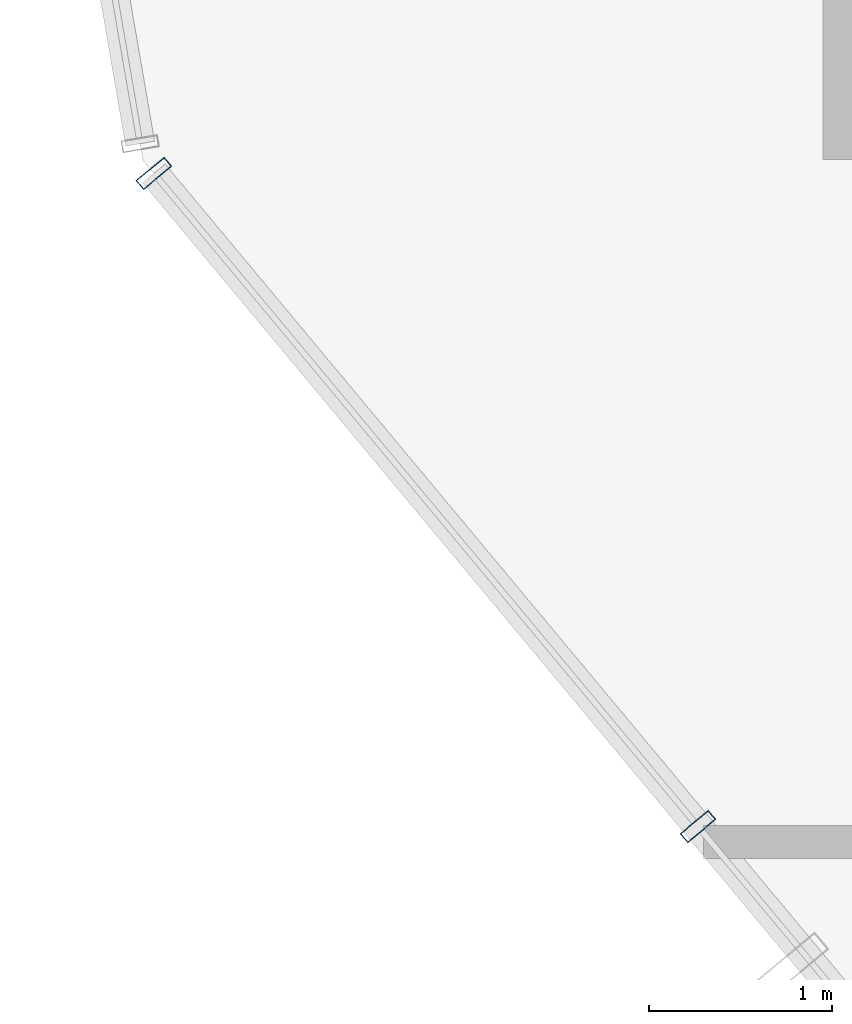
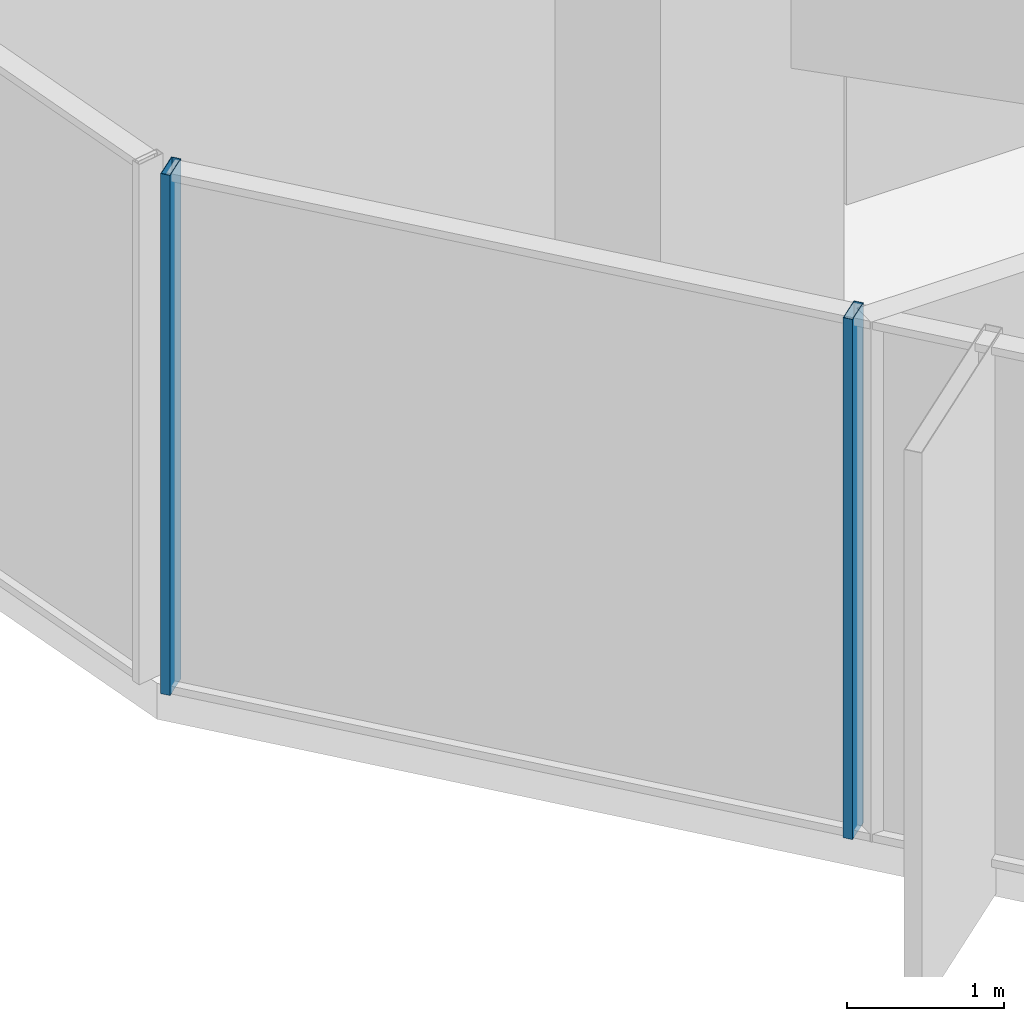
# One storey, part 4 of 35: 2 members, 1 element without a shape of its own.
"""IFC4 building model written with IfcOpenShell, lengths in metres."""

import ifcopenshell
import ifcopenshell.guid

model = None  # the IFC model being written
_history = None  # IfcOwnerHistory: only IFC2X3 demands one
_inside = {}  # id of a spatial element -> (the spatial element, [elements in it])
_under = {}  # id of a project, library or spatial element -> (it, [spatial elements below it])
_declared = {}  # id of a project -> (the project, [libraries it declares])
_typed = {}  # id of a type object -> (the type object, [elements of that type])
_made_of = {}  # id of a material, layer set ... -> (it, [elements and type objects made of it])


def new_model(schema):
    """Start an empty IFC model of exactly this schema.

    Asked for "IFC4X3", IfcOpenShell would pick the latest addendum, in which some entities
    have other attributes; the version numbers below select the first issue.
    IFC2X3 requires an IfcOwnerHistory on every rooted entity: one is made here for all.
    """
    global model, _history
    if schema == "IFC4X3":
        model = ifcopenshell.file(schema_version=(4, 3, 0, 0))
    else:
        model = ifcopenshell.file(schema=schema)
    _inside.clear()
    _under.clear()
    _declared.clear()
    _typed.clear()
    _made_of.clear()
    _history = None
    if model.schema == "IFC2X3":
        org = make("IfcOrganization", Name="unknown")
        user = make(
            "IfcPersonAndOrganization",
            ThePerson=make("IfcPerson", FamilyName="unknown"),
            TheOrganization=org,
        )
        app = make(
            "IfcApplication",
            ApplicationDeveloper=org,
            Version="unknown",
            ApplicationFullName="unknown",
            ApplicationIdentifier="unknown",
        )
        _history = make(
            "IfcOwnerHistory",
            OwningUser=user,
            OwningApplication=app,
            ChangeAction="ADDED",
            CreationDate=0,
        )
    return model


def make(cls, **values):
    """One entity of the class cls with the attributes given. An attribute that is None is left unset."""
    return model.create_entity(
        cls, **{name: value for name, value in values.items() if value is not None}
    )


def rooted(cls, **values):
    """An entity with a GlobalId (a new one), such as an element, a storey or a relation."""
    return make(cls, GlobalId=ifcopenshell.guid.new(), OwnerHistory=_history, **values)


def si_unit(unit_type, name, prefix=None):
    """IfcSIUnit, for example si_unit("LENGTHUNIT", "METRE", prefix="MILLI")."""
    return make("IfcSIUnit", UnitType=unit_type, Prefix=prefix, Name=name)


def assignment(units):
    """IfcUnitAssignment: the units of a project."""
    return None if units is None else make("IfcUnitAssignment", Units=units)


def point(xyz):
    """IfcCartesianPoint."""
    return None if xyz is None else make("IfcCartesianPoint", Coordinates=xyz)


def direction(xyz):
    """IfcDirection."""
    return None if xyz is None else make("IfcDirection", DirectionRatios=xyz)


def frame(location, z_axis=None, x_axis=None):
    """IfcAxis2Placement3D, a coordinate frame: its origin and axes. An axis left out is left unset."""
    return make(
        "IfcAxis2Placement3D",
        Location=point(location),
        Axis=direction(z_axis),
        RefDirection=direction(x_axis),
    )


def frame_2d(location, x_axis=None):
    """IfcAxis2Placement2D, a coordinate frame in the plane: its origin and x axis."""
    return make(
        "IfcAxis2Placement2D", Location=point(location), RefDirection=direction(x_axis)
    )


def origin():
    """The frame at (0, 0, 0) with its axes left unset."""
    return frame((0.0, 0.0, 0.0))


def origin_2d():
    """The frame at (0, 0) in the plane with its x axis left unset."""
    return frame_2d((0.0, 0.0))


def place(relative_to, where):
    """IfcLocalPlacement: puts the frame where relative to a parent placement (None: the world)."""
    return make(
        "IfcLocalPlacement", PlacementRelTo=relative_to, RelativePlacement=where
    )


def context(
    kind, dimensions, precision=None, world=None, true_north=None, identifier=None
):
    """IfcGeometricRepresentationContext, for example the 3D "Model" context."""
    return make(
        "IfcGeometricRepresentationContext",
        ContextIdentifier=identifier,
        ContextType=kind,
        CoordinateSpaceDimension=dimensions,
        Precision=precision,
        WorldCoordinateSystem=world,
        TrueNorth=true_north,
    )


def subcontext(parent, identifier, kind, view, scale=None):
    """IfcGeometricRepresentationSubContext, for example "Body" below "Model"."""
    return make(
        "IfcGeometricRepresentationSubContext",
        ContextIdentifier=identifier,
        ContextType=kind,
        ParentContext=parent,
        TargetScale=scale,
        TargetView=view,
    )


def project(units=None, contexts=None):
    """IfcProject with its units and contexts."""
    return rooted(
        "IfcProject",
        Name="project",
        RepresentationContexts=contexts,
        UnitsInContext=assignment(units),
    )


def spatial(cls, under=None, at=None, **own):
    """A site, building, storey or space (cls), placed at a placement, below another one or the project."""
    s = rooted(cls, ObjectPlacement=at, **own)
    if under is not None:
        _under.setdefault(under.id(), (under, []))[1].append(s)
    return s


def profile(cls, at=None, kind="AREA", **sizes):
    """A parametric profile (cls). Its sizes go by their IFC names, for example OverallWidth=200.0."""
    return make(cls, ProfileType=kind, Position=at, **sizes)


def hollow_rectangle(**sizes):
    """IfcRectangleHollowProfileDef."""
    return profile("IfcRectangleHollowProfileDef", **sizes)


def extrude(swept, where, along, depth):
    """IfcExtrudedAreaSolid: the profile swept, set in the frame where, extruded along a direction by depth."""
    return make(
        "IfcExtrudedAreaSolid",
        SweptArea=swept,
        Position=where,
        ExtrudedDirection=direction(along),
        Depth=depth,
    )


def shape(context_of_items, identifier, shape_type, items):
    """IfcShapeRepresentation: the items that make up one representation, for example the "Body"."""
    return make(
        "IfcShapeRepresentation",
        ContextOfItems=context_of_items,
        RepresentationIdentifier=identifier,
        RepresentationType=shape_type,
        Items=items,
    )


def source(mapping_origin, context_of_items, identifier, shape_type, items):
    """IfcRepresentationMap: a shape defined once, which mapped items show again and again."""
    return make(
        "IfcRepresentationMap",
        MappingOrigin=mapping_origin,
        MappedRepresentation=shape(context_of_items, identifier, shape_type, items),
    )


def transform(
    local_origin,
    x_axis=None,
    y_axis=None,
    z_axis=None,
    scale=None,
    scale2=None,
    scale3=None,
    uniform=True,
):
    """IfcCartesianTransformationOperator3D, or its non-uniform kind. x_axis, y_axis, z_axis: its Axis1, 2, 3."""
    if uniform:
        return make(
            "IfcCartesianTransformationOperator3D",
            Axis1=direction(x_axis),
            Axis2=direction(y_axis),
            LocalOrigin=point(local_origin),
            Scale=scale,
            Axis3=direction(z_axis),
        )
    return make(
        "IfcCartesianTransformationOperator3DnonUniform",
        Axis1=direction(x_axis),
        Axis2=direction(y_axis),
        LocalOrigin=point(local_origin),
        Scale=scale,
        Axis3=direction(z_axis),
        Scale2=scale2,
        Scale3=scale3,
    )


def mapped(mapping_source, mapping_target):
    """IfcMappedItem: shows the shape of a source again, moved by a transform."""
    return make(
        "IfcMappedItem", MappingSource=mapping_source, MappingTarget=mapping_target
    )


def material(Name=None, Category=None):
    """IfcMaterial."""
    return make("IfcMaterial", Name=Name, Category=Category)


def layer(
    of_material, thickness, ventilated=None, Name=None, Category=None, Priority=None
):
    """IfcMaterialLayer: one layer of a wall or slab, of a material (None: an air gap)."""
    return make(
        "IfcMaterialLayer",
        Material=of_material,
        LayerThickness=thickness,
        IsVentilated=ventilated,
        Name=Name,
        Category=Category,
        Priority=Priority,
    )


def layer_set(layers, Name=None):
    """IfcMaterialLayerSet."""
    return make("IfcMaterialLayerSet", MaterialLayers=layers, LayerSetName=Name)


def material_profile(
    of_material, cross_section, Name=None, Category=None, Priority=None
):
    """IfcMaterialProfile: a cross section and its material."""
    return make(
        "IfcMaterialProfile",
        Name=Name,
        Material=of_material,
        Profile=cross_section,
        Priority=Priority,
        Category=Category,
    )


def profile_set(profiles, Name=None, composite=None):
    """IfcMaterialProfileSet."""
    return make(
        "IfcMaterialProfileSet",
        Name=Name,
        MaterialProfiles=profiles,
        CompositeProfile=composite,
    )


def made_of(thing, what):
    """Note that an element or type object is made of a material, layer set ...; save() writes the relation."""
    if what is not None:
        _made_of.setdefault(what.id(), (what, []))[1].append(thing)
    return thing


def type_object(cls, material=None, **own):
    """A type object (cls), such as IfcWallType, which elements share."""
    return made_of(rooted(cls, **own), material)


def element(
    cls,
    number,
    at=None,
    inside=None,
    cuts=None,
    type_object=None,
    material=None,
    context=None,
    identifier="Body",
    shape_type=None,
    held_by="IfcProductDefinitionShape",
    body=None,
    shapes=None,
    **own,
):
    """One element of the class cls, such as IfcWall. Its Tag is "e" and its number.

    at: its placement. inside: the storey or other place that contains it. cuts: it is an
    opening in that element (IfcRelVoidsElement). A single representation is given by context,
    identifier, shape_type and body (its items); several are given by shapes. held_by: the class
    of the entity that holds the representations. save() writes the other relations.
    """
    e = rooted(cls, Tag="e%d" % number, ObjectPlacement=at, **own)
    if body is not None:
        shapes = [shape(context, identifier, shape_type, body)]
    if shapes is not None:
        e.Representation = make(held_by, Representations=shapes)
    if inside is not None:
        _inside.setdefault(inside.id(), (inside, []))[1].append(e)
    if cuts is not None:
        rooted(
            "IfcRelVoidsElement", RelatingBuildingElement=cuts, RelatedOpeningElement=e
        )
    if type_object is not None:
        _typed.setdefault(type_object.id(), (type_object, []))[1].append(e)
    return made_of(e, material)


def aggregate(whole, parts):
    """IfcRelAggregates: a whole, such as a stair, and the parts it consists of."""
    return rooted("IfcRelAggregates", RelatingObject=whole, RelatedObjects=parts)


def save(model, path):
    """Write the relations noted so far, then the file.

    IfcRelAggregates (storeys below a building ...), IfcRelContainedInSpatialStructure (elements
    in a storey), IfcRelDefinesByType, IfcRelAssociatesMaterial and IfcRelDeclares: one each for
    every whole, place, type object, material and project.
    """
    for whole, parts in _under.values():
        aggregate(whole, parts)
    for where, things in _inside.values():
        rooted(
            "IfcRelContainedInSpatialStructure",
            RelatedElements=things,
            RelatingStructure=where,
        )
    for kind, things in _typed.values():
        rooted("IfcRelDefinesByType", RelatedObjects=things, RelatingType=kind)
    for what, things in _made_of.values():
        rooted("IfcRelAssociatesMaterial", RelatedObjects=things, RelatingMaterial=what)
    for by, libraries in _declared.values():
        rooted("IfcRelDeclares", RelatingContext=by, RelatedDefinitions=libraries)
    model.write(path)


model = new_model("IFC4")

# Units and contexts
model_context = context("Model", 3, precision=1e-05, world=origin(), true_north=direction((0.0, 1.0)))
body_context = subcontext(model_context, "Body", "Model", "MODEL_VIEW")
ifc_project = project(units=[si_unit("LENGTHUNIT", "METRE"), si_unit("AREAUNIT", "SQUARE_METRE"), si_unit("VOLUMEUNIT", "CUBIC_METRE"), si_unit("PLANEANGLEUNIT", "RADIAN"), si_unit("MASSUNIT", "GRAM", prefix="KILO")], contexts=[model_context])

# Site, building, storey
site_placement = place(None, origin())
site = spatial("IfcSite", under=ifc_project, at=site_placement, CompositionType="ELEMENT")
building_placement = place(site_placement, origin())
building = spatial("IfcBuilding", under=site, at=building_placement, Name="Veraguas Prism Commons", CompositionType="ELEMENT")
storey_placement = place(building_placement, frame((0.0, 0.0, 56.550048828125)))
storey = spatial("IfcBuildingStorey", under=building, at=storey_placement, Name="L15", CompositionType="ELEMENT", Elevation=56.550048828125)

# Curtain wall, members
ifc_material = material(Name="Anodised aluminium EN AW-6063 T6", Category="aluminium")
ifc_layer = layer(ifc_material, 0.199951171875, Name="Sky Lobby and Pool Acoustic Curtain Wall", Category="aluminium")
ifc_layer_set = layer_set([ifc_layer], Name="Anodised aluminium EN AW-6063 T6")
curtain_wall_type = type_object("IfcCurtainWallType", Name="Sky Lobby and Pool Acoustic Curtain Wall", PredefinedType="NOTDEFINED", material=ifc_layer_set)
curtain_wall_placement = place(storey_placement, origin())
curtain_wall = element("IfcCurtainWall", 1, at=curtain_wall_placement, inside=storey, type_object=curtain_wall_type, Name="Tower Facade Curtain Wall L15-F4", PredefinedType="NOTDEFINED")
ifc_material_profile = material_profile(ifc_material, hollow_rectangle(XDim=0.06494140625, YDim=0.199951171875, WallThickness=0.00390625, at=origin_2d()), Name="AL65X200X4")
ifc_profile_set = profile_set([ifc_material_profile], Name="Anodised aluminium EN AW-6063 T6")
member_type = type_object("IfcMemberType", Name="Curtain Wall Mullion Heavy AL 65x200x4", PredefinedType="MULLION", material=ifc_profile_set)
shared_shape = source(origin(), body_context, "Body", "SweptSolid", [
    extrude(hollow_rectangle(XDim=0.06494140625, YDim=0.199951171875, WallThickness=0.00390625, at=origin_2d()), origin(), (0.0, 0.0, 1.0), 4.050048828125),
])
member_1_placement = place(storey_placement, frame((2.072509765625, 17.847900390625, 0.0), z_axis=(0.0, 0.0, 1.0), x_axis=(0.640109699485, -0.768283523594, 0.0)))
member_1 = element("IfcMember", 2, at=member_1_placement, type_object=member_type, Name="CW-SKY Mullion 1", PredefinedType="MULLION", context=body_context, shape_type="MappedRepresentation", body=[
    mapped(shared_shape, transform((0.0, 0.0, 0.0), scale=1.0)),
])
member_2_placement = place(storey_placement, frame((5.04150390625, 14.2841796875, 0.0), z_axis=(0.0, 0.0, 1.0), x_axis=(0.640109699485, -0.768283523594, 0.0)))
member_2 = element("IfcMember", 3, at=member_2_placement, type_object=member_type, Name="CW-SKY Mullion 2", PredefinedType="MULLION", context=body_context, shape_type="MappedRepresentation", body=[
    mapped(shared_shape, transform((0.0, 0.0, 0.0), scale=1.0)),
])
aggregate(curtain_wall, [member_1, member_2])

save(model, "model.ifc")
